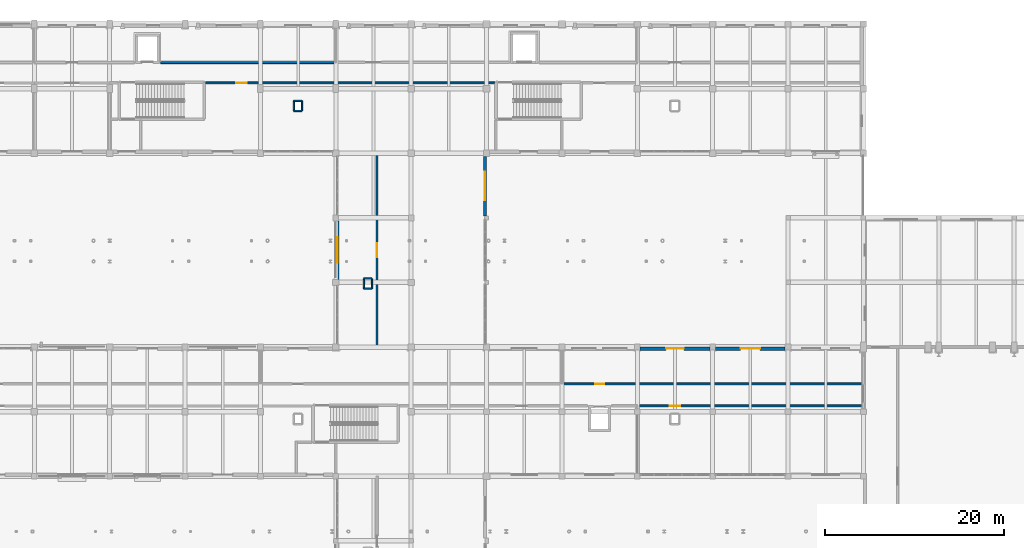
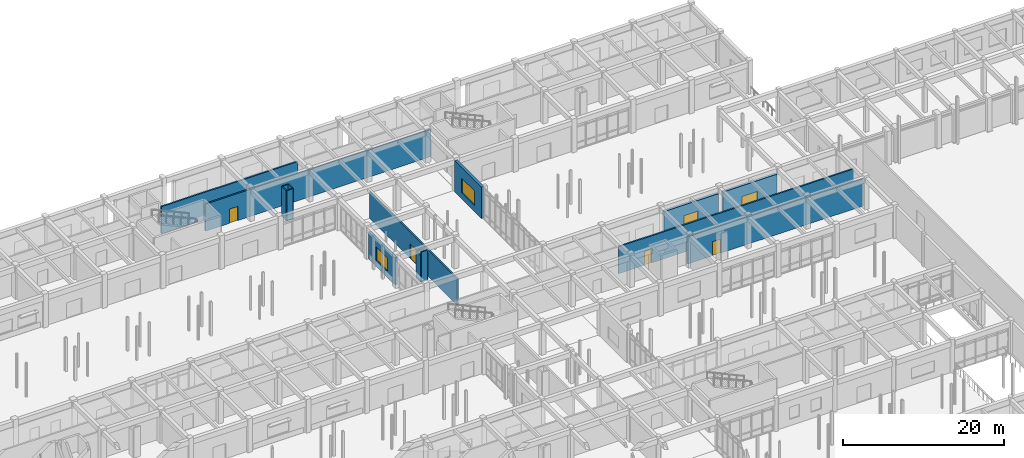
# One storey, part 84 of 121: 17 walls, 6 doors, 2 windows, 8 openings.
"""IFC4 building model written with IfcOpenShell, lengths in metres."""

from ifc_helpers import new_model, si_unit, direction, frame, frame_2d, origin, place, context, subcontext, project, spatial, rectangle, extrude, material, layer, layer_set, type_object, element, fill, save


model = new_model("IFC4")

# Units and contexts
model_context = context("Model", 3, precision=1e-05, world=origin(), true_north=direction((0.0, 1.0)))
body_context = subcontext(model_context, "Body", "Model", "MODEL_VIEW")
ifc_project = project(units=[si_unit("LENGTHUNIT", "METRE"), si_unit("AREAUNIT", "SQUARE_METRE"), si_unit("VOLUMEUNIT", "CUBIC_METRE"), si_unit("PLANEANGLEUNIT", "RADIAN"), si_unit("MASSUNIT", "GRAM", prefix="KILO")], contexts=[model_context])

# Site, building, storey
site_placement = place(None, origin())
site = spatial("IfcSite", under=ifc_project, at=site_placement, CompositionType="ELEMENT")
building_placement = place(site_placement, origin())
building = spatial("IfcBuilding", under=site, at=building_placement, Name="Malvenik Polytechnic", CompositionType="ELEMENT")
storey_placement = place(building_placement, origin())
storey = spatial("IfcBuildingStorey", under=building, at=storey_placement, Name="L00", CompositionType="ELEMENT", Elevation=0.0)

# Wall, opening, window
ifc_material_1 = material(Name="Concrete C30/37", Category="concrete")
ifc_layer_1 = layer(ifc_material_1, 0.3798828125)
ifc_layer_set_1 = layer_set([ifc_layer_1], Name="Concrete C30/37")
wall_type_1 = type_object("IfcWallType", Name="ARC-EW-380", PredefinedType="SOLIDWALL", material=ifc_layer_set_1)
wall_1_placement = place(storey_placement, frame((75.77001953125, 101.14794921875, 0.0), z_axis=(0.0, 0.0, 1.0), x_axis=(0.0, 1.0, 0.0)))
wall_1 = element("IfcWall", 1, at=wall_1_placement, inside=storey, type_object=wall_type_1, Name="External Facade Wall EW-01 L00 #72", PredefinedType="SOLIDWALL", context=body_context, shape_type="SweptSolid", body=[
    extrude(rectangle(XDim=6.529052734375, YDim=0.3798828125, at=frame_2d((3.2646484375, 0.0))), origin(), (0.0, 0.0, 1.0), 4.110107421875),
])
opening_1_placement = place(wall_1_placement, frame((1.864501953125, 0.0, 0.949951171875)))
opening_1 = element("IfcOpeningElement", 2, at=opening_1_placement, cuts=wall_1, Name="Opening W-10", PredefinedType="OPENING", context=body_context, shape_type="SweptSolid", body=[
    extrude(rectangle(XDim=2.800048828125, YDim=2.0, at=frame_2d((1.39990234375, 1.0))), frame((0.0, 0.199951171875, 0.0), z_axis=(0.0, -1.0, 0.0), x_axis=(1.0, 0.0, 0.0)), (0.0, 0.0, 1.0), 0.39990234375),
])
ifc_material_2 = material(Name="Thermally broken aluminium frame with low-E double glazing", Category="aluminium")
window_type_1 = type_object("IfcWindowType", Name="ARC-WIN-W-10", PartitioningType="SINGLE_PANEL", PredefinedType="WINDOW", material=ifc_material_2)
window_1_placement = place(opening_1_placement, origin())
window_1 = element("IfcWindow", 3, at=window_1_placement, inside=storey, type_object=window_type_1, Name="Punched Window W-10 L00 #36", OverallHeight=2.0, OverallWidth=2.800048828125, PartitioningType="SINGLE_PANEL", PredefinedType="WINDOW", context=body_context, shape_type="SweptSolid", body=[
    extrude(rectangle(XDim=2.800048828125, YDim=2.0, at=frame_2d((1.39990234375, 1.0))), frame((0.0, 0.030029296875, 0.0), z_axis=(0.0, -1.0, 0.0), x_axis=(1.0, 0.0, 0.0)), (0.0, 0.0, 1.0), 0.06005859375),
])
fill(opening_1, window_1)

wall_2_placement = place(storey_placement, frame((92.22998046875, 114.85205078125, 0.0), z_axis=(0.0, 0.0, 1.0), x_axis=(0.0, -1.0, 0.0)))
wall_2 = element("IfcWall", 4, at=wall_2_placement, inside=storey, type_object=wall_type_1, Name="External Facade Wall EW-01 L00 #105", PredefinedType="SOLIDWALL", context=body_context, shape_type="SweptSolid", body=[
    extrude(rectangle(XDim=6.629150390625, YDim=0.3798828125, at=frame_2d((3.314453125, 0.0))), origin(), (0.0, 0.0, 1.0), 4.760009765625),
])
opening_2_placement = place(wall_2_placement, frame((1.714599609375, 0.0, 0.949951171875)))
opening_2 = element("IfcOpeningElement", 5, at=opening_2_placement, cuts=wall_2, Name="Opening W-09", PredefinedType="OPENING", context=body_context, shape_type="SweptSolid", body=[
    extrude(rectangle(XDim=3.199951171875, YDim=2.199951171875, at=frame_2d((1.60009765625, 1.10009765625))), frame((0.0, 0.199951171875, 0.0), z_axis=(0.0, -1.0, 0.0), x_axis=(1.0, 0.0, 0.0)), (0.0, 0.0, 1.0), 0.39990234375),
])
window_type_2 = type_object("IfcWindowType", Name="ARC-WIN-W-09", PartitioningType="SINGLE_PANEL", PredefinedType="WINDOW", material=ifc_material_2)
window_2_placement = place(opening_2_placement, origin())
window_2 = element("IfcWindow", 6, at=window_2_placement, inside=storey, type_object=window_type_2, Name="Punched Window W-09 L00 #67", OverallHeight=2.199951171875, OverallWidth=3.199951171875, PartitioningType="SINGLE_PANEL", PredefinedType="WINDOW", context=body_context, shape_type="SweptSolid", body=[
    extrude(rectangle(XDim=3.199951171875, YDim=2.199951171875, at=frame_2d((1.60009765625, 1.10009765625))), frame((0.0, 0.030029296875, 0.0), z_axis=(0.0, -1.0, 0.0), x_axis=(1.0, 0.0, 0.0)), (0.0, 0.0, 1.0), 0.06005859375),
])
fill(opening_2, window_2)

# Wall, opening, door
wall_3_placement = place(storey_placement, frame((109.52294921875, 93.429931640625, 0.0), z_axis=(0.0, 0.0, 1.0), x_axis=(1.0, 0.0, 0.0)))
wall_3 = element("IfcWall", 7, at=wall_3_placement, inside=storey, type_object=wall_type_1, Name="External Facade Wall EW-01 L00 #108", PredefinedType="SOLIDWALL", context=body_context, shape_type="SweptSolid", body=[
    extrude(rectangle(XDim=7.754150390625, YDim=0.3798828125, at=frame_2d((3.876953125, 0.0))), origin(), (0.0, 0.0, 1.0), 4.010009765625),
])
opening_3_placement = place(wall_3_placement, frame((2.876953125, 0.0, 0.0)))
opening_3 = element("IfcOpeningElement", 8, at=opening_3_placement, cuts=wall_3, Name="Opening ED-01", PredefinedType="OPENING", context=body_context, shape_type="SweptSolid", body=[
    extrude(rectangle(XDim=2.0, YDim=2.39990234375, at=frame_2d((1.0, 1.199951171875))), frame((0.0, 0.199951171875, 0.0), z_axis=(0.0, -1.0, 0.0), x_axis=(1.0, 0.0, 0.0)), (0.0, 0.0, 1.0), 0.39990234375),
])
ifc_material_3 = material(Name="Thermally broken glazed aluminium entrance door", Category="aluminium")
door_type_1 = type_object("IfcDoorType", Name="ARC-EDR-ED-01", OperationType="NOTDEFINED", PredefinedType="DOOR", material=ifc_material_3)
door_1_placement = place(opening_3_placement, origin())
door_1 = element("IfcDoor", 9, at=door_1_placement, inside=storey, type_object=door_type_1, Name="External Door ED-01 L00 #27", OperationType="DOUBLE_DOOR_SINGLE_SWING", OverallHeight=2.39990234375, OverallWidth=2.0, PredefinedType="DOOR", context=body_context, shape_type="SweptSolid", body=[
    extrude(rectangle(XDim=2.0, YDim=2.39990234375, at=frame_2d((1.0, 1.199951171875))), frame((0.0, 0.02490234375, 0.0), z_axis=(0.0, -1.0, 0.0), x_axis=(1.0, 0.0, 0.0)), (0.0, 0.0, 1.0), 0.050048828125),
])
fill(opening_3, door_1)

wall_4_placement = place(storey_placement, frame((117.923095703125, 93.429931640625, 0.0), z_axis=(0.0, 0.0, 1.0), x_axis=(1.0, 0.0, 0.0)))
wall_4 = element("IfcWall", 10, at=wall_4_placement, inside=storey, type_object=wall_type_1, Name="External Facade Wall EW-01 L00 #109", PredefinedType="SOLIDWALL", context=body_context, shape_type="SweptSolid", body=[
    extrude(rectangle(XDim=7.75390625, YDim=0.3798828125, at=frame_2d((3.876953125, 0.0))), origin(), (0.0, 0.0, 1.0), 4.010009765625),
])
opening_4_placement = place(wall_4_placement, frame((2.777099609375, 0.0, 0.0)))
opening_4 = element("IfcOpeningElement", 11, at=opening_4_placement, cuts=wall_4, Name="Opening ED-02", PredefinedType="OPENING", context=body_context, shape_type="SweptSolid", body=[
    extrude(rectangle(XDim=2.199951171875, YDim=2.39990234375, at=frame_2d((1.10009765625, 1.199951171875))), frame((0.0, 0.199951171875, 0.0), z_axis=(0.0, -1.0, 0.0), x_axis=(1.0, 0.0, 0.0)), (0.0, 0.0, 1.0), 0.39990234375),
])
door_type_2 = type_object("IfcDoorType", Name="ARC-EDR-ED-02", OperationType="NOTDEFINED", PredefinedType="DOOR", material=ifc_material_3)
door_2_placement = place(opening_4_placement, origin())
door_2 = element("IfcDoor", 12, at=door_2_placement, inside=storey, type_object=door_type_2, Name="External Door ED-02 L00 #28", OperationType="DOUBLE_DOOR_SINGLE_SWING", OverallHeight=2.39990234375, OverallWidth=2.199951171875, PredefinedType="DOOR", context=body_context, shape_type="SweptSolid", body=[
    extrude(rectangle(XDim=2.199951171875, YDim=2.39990234375, at=frame_2d((1.10009765625, 1.199951171875))), frame((0.0, 0.02490234375, 0.0), z_axis=(0.0, -1.0, 0.0), x_axis=(1.0, 0.0, 0.0)), (0.0, 0.0, 1.0), 0.050048828125),
])
fill(opening_4, door_2)

# Wall
ifc_material_4 = material(Name="Autoclaved aerated concrete blockwork 220mm", Category="masonry")
ifc_layer_2 = layer(ifc_material_4, 0.219970703125)
ifc_layer_set_2 = layer_set([ifc_layer_2], Name="Autoclaved aerated concrete blockwork 220mm")
wall_type_2 = type_object("IfcWallType", Name="ARC-FW-220", PredefinedType="SOLIDWALL", material=ifc_layer_set_2)
wall_5_placement = place(storey_placement, frame((56.070068359375, 125.300048828125, 0.0), z_axis=(0.0, 0.0, 1.0), x_axis=(1.0, 0.0, 0.0)))
element("IfcWall", 13, at=wall_5_placement, inside=storey, type_object=wall_type_2, Name="Interior Partition FW-01 L00 #51", PredefinedType="SOLIDWALL", context=body_context, shape_type="SweptSolid", body=[
    extrude(rectangle(XDim=19.530029296875, YDim=0.219970703125, at=frame_2d((9.76513671875, 0.0))), origin(), (0.0, 0.0, 1.0), 4.10498046875),
])

# Wall, opening, door
wall_6_placement = place(storey_placement, frame((93.31005859375, 123.050048828125, 0.0), z_axis=(0.0, 0.0, 1.0), x_axis=(-1.0, 0.0, 0.0)))
wall_6 = element("IfcWall", 14, at=wall_6_placement, inside=storey, type_object=wall_type_2, Name="Interior Partition FW-01 L00 #66", PredefinedType="SOLIDWALL", context=body_context, shape_type="SweptSolid", body=[
    extrude(rectangle(XDim=32.219970703125, YDim=0.219970703125, at=frame_2d((16.10986328125, 0.0))), origin(), (0.0, 0.0, 1.0), 4.10498046875),
])
opening_5_placement = place(wall_6_placement, frame((27.610107421875, 0.0, 0.0)))
opening_5 = element("IfcOpeningElement", 15, at=opening_5_placement, cuts=wall_6, Name="Opening FD-10", PredefinedType="OPENING", context=body_context, shape_type="SweptSolid", body=[
    extrude(rectangle(XDim=1.199951171875, YDim=2.14990234375, at=frame_2d((0.60009765625, 1.074951171875))), frame((0.0, 0.1201171875, 0.0), z_axis=(0.0, -1.0, 0.0), x_axis=(1.0, 0.0, 0.0)), (0.0, 0.0, 1.0), 0.239990234375),
])
ifc_material_5 = material(Name="Fire-rated laboratory corridor door", Category="steel")
door_type_3 = type_object("IfcDoorType", Name="ARC-IDR-FD-10", OperationType="NOTDEFINED", PredefinedType="DOOR", material=ifc_material_5)
door_3_placement = place(opening_5_placement, origin())
door_3 = element("IfcDoor", 16, at=door_3_placement, inside=storey, type_object=door_type_3, Name="Interior Door FD-10 L00 #31", OperationType="SINGLE_SWING_RIGHT", OverallHeight=2.14990234375, OverallWidth=1.199951171875, PredefinedType="DOOR", context=body_context, shape_type="SweptSolid", body=[
    extrude(rectangle(XDim=1.199951171875, YDim=2.14990234375, at=frame_2d((0.60009765625, 1.074951171875))), frame((0.0, 0.02490234375, 0.0), z_axis=(0.0, -1.0, 0.0), x_axis=(1.0, 0.0, 0.0)), (0.0, 0.0, 1.0), 0.050048828125),
])
fill(opening_5, door_3)

wall_7_placement = place(storey_placement, frame((100.800048828125, 89.5, 0.0), z_axis=(0.0, 0.0, 1.0), x_axis=(1.0, 0.0, 0.0)))
wall_7 = element("IfcWall", 17, at=wall_7_placement, inside=storey, type_object=wall_type_2, Name="Interior Partition FW-01 L00 #76", PredefinedType="SOLIDWALL", context=body_context, shape_type="SweptSolid", body=[
    extrude(rectangle(XDim=33.599853515625, YDim=0.219970703125, at=frame_2d((16.7998046875, 0.0))), origin(), (0.0, 0.0, 1.0), 4.10498046875),
])
opening_6_placement = place(wall_7_placement, frame((3.699951171875, 0.0, 0.0)))
opening_6 = element("IfcOpeningElement", 18, at=opening_6_placement, cuts=wall_7, Name="Opening FD-07", PredefinedType="OPENING", context=body_context, shape_type="SweptSolid", body=[
    extrude(rectangle(XDim=1.0, YDim=2.10009765625, at=frame_2d((0.5, 1.050048828125))), frame((0.0, 0.1201171875, 0.0), z_axis=(0.0, -1.0, 0.0), x_axis=(1.0, 0.0, 0.0)), (0.0, 0.0, 1.0), 0.239990234375),
])
ifc_material_6 = material(Name="Fire-rated washroom corridor door", Category="steel")
door_type_4 = type_object("IfcDoorType", Name="ARC-IDR-FD-07", OperationType="NOTDEFINED", PredefinedType="DOOR", material=ifc_material_6)
door_4_placement = place(opening_6_placement, origin())
door_4 = element("IfcDoor", 19, at=door_4_placement, inside=storey, type_object=door_type_4, Name="Interior Door FD-07 L00 #36", OperationType="SINGLE_SWING_RIGHT", OverallHeight=2.10009765625, OverallWidth=1.0, PredefinedType="DOOR", context=body_context, shape_type="SweptSolid", body=[
    extrude(rectangle(XDim=1.0, YDim=2.10009765625, at=frame_2d((0.5, 1.050048828125))), frame((0.0, 0.02490234375, 0.0), z_axis=(0.0, -1.0, 0.0), x_axis=(1.0, 0.0, 0.0)), (0.0, 0.0, 1.0), 0.050048828125),
])
fill(opening_6, door_4)

wall_8_placement = place(storey_placement, frame((134.39990234375, 87.050048828125, 0.0), z_axis=(0.0, 0.0, 1.0), x_axis=(-1.0, 0.0, 0.0)))
wall_8 = element("IfcWall", 20, at=wall_8_placement, inside=storey, type_object=wall_type_2, Name="Interior Partition FW-01 L00 #88", PredefinedType="SOLIDWALL", context=body_context, shape_type="SweptSolid", body=[
    extrude(rectangle(XDim=25.199951171875, YDim=0.219970703125, at=frame_2d((12.60009765625, 0.0))), origin(), (0.0, 0.0, 1.0), 4.10498046875),
])
opening_7_placement = place(wall_8_placement, frame((20.425048828125, 0.0, 0.0)))
opening_7 = element("IfcOpeningElement", 21, at=opening_7_placement, cuts=wall_8, Name="Opening FD-01", PredefinedType="OPENING", context=body_context, shape_type="SweptSolid", body=[
    extrude(rectangle(XDim=1.14990234375, YDim=2.14990234375, at=frame_2d((0.574951171875, 1.074951171875))), frame((0.0, 0.1201171875, 0.0), z_axis=(0.0, -1.0, 0.0), x_axis=(1.0, 0.0, 0.0)), (0.0, 0.0, 1.0), 0.239990234375),
])
ifc_material_7 = material(Name="Fire-rated timber acoustic corridor door", Category="wood")
door_type_5 = type_object("IfcDoorType", Name="ARC-IDR-FD-01", OperationType="NOTDEFINED", PredefinedType="DOOR", material=ifc_material_7)
door_5_placement = place(opening_7_placement, origin())
door_5 = element("IfcDoor", 22, at=door_5_placement, inside=storey, type_object=door_type_5, Name="Interior Door FD-01 L00 #40", OperationType="SINGLE_SWING_LEFT", OverallHeight=2.14990234375, OverallWidth=1.14990234375, PredefinedType="DOOR", context=body_context, shape_type="SweptSolid", body=[
    extrude(rectangle(XDim=1.14990234375, YDim=2.14990234375, at=frame_2d((0.574951171875, 1.074951171875))), frame((0.0, 0.02490234375, 0.0), z_axis=(0.0, -1.0, 0.0), x_axis=(1.0, 0.0, 0.0)), (0.0, 0.0, 1.0), 0.050048828125),
])
fill(opening_7, door_5)

wall_9_placement = place(storey_placement, frame((80.199951171875, 93.60009765625, 0.0), z_axis=(0.0, 0.0, 1.0), x_axis=(0.0, 1.0, 0.0)))
wall_9 = element("IfcWall", 23, at=wall_9_placement, inside=storey, type_object=wall_type_2, Name="Interior Partition FW-01 L00 #117", PredefinedType="SOLIDWALL", context=body_context, shape_type="SweptSolid", body=[
    extrude(rectangle(XDim=21.599853515625, YDim=0.219970703125, at=frame_2d((10.7998046875, 0.0))), origin(), (0.0, 0.0, 1.0), 4.0048828125),
])
opening_8_placement = place(wall_9_placement, frame((10.02490234375, 0.0, 0.0)))
opening_8 = element("IfcOpeningElement", 24, at=opening_8_placement, cuts=wall_9, Name="Opening FD-09", PredefinedType="OPENING", context=body_context, shape_type="SweptSolid", body=[
    extrude(rectangle(XDim=1.550048828125, YDim=2.199951171875, at=frame_2d((0.77490234375, 1.10009765625))), frame((0.0, 0.1201171875, 0.0), z_axis=(0.0, -1.0, 0.0), x_axis=(1.0, 0.0, 0.0)), (0.0, 0.0, 1.0), 0.239990234375),
])
ifc_material_8 = material(Name="Fire-rated studio corridor double door", Category="steel")
door_type_6 = type_object("IfcDoorType", Name="ARC-IDR-FD-09", OperationType="NOTDEFINED", PredefinedType="DOOR", material=ifc_material_8)
door_6_placement = place(opening_8_placement, origin())
door_6 = element("IfcDoor", 25, at=door_6_placement, inside=storey, type_object=door_type_6, Name="Interior Door FD-09 L00 #54", OperationType="DOUBLE_DOOR_SINGLE_SWING", OverallHeight=2.199951171875, OverallWidth=1.550048828125, PredefinedType="DOOR", context=body_context, shape_type="SweptSolid", body=[
    extrude(rectangle(XDim=1.550048828125, YDim=2.199951171875, at=frame_2d((0.77490234375, 1.10009765625))), frame((0.0, 0.02490234375, 0.0), z_axis=(0.0, -1.0, 0.0), x_axis=(1.0, 0.0, 0.0)), (0.0, 0.0, 1.0), 0.050048828125),
])
fill(opening_8, door_6)

# Walls
ifc_material_9 = material(Name="Double-stud acoustic gypsum board partition 160mm", Category="gypsum")
ifc_layer_3 = layer(ifc_material_9, 0.159912109375)
ifc_layer_set_3 = layer_set([ifc_layer_3], Name="Double-stud acoustic gypsum board partition 160mm")
wall_type_3 = type_object("IfcWallType", Name="ARC-PW-160", PredefinedType="PARTITIONING", material=ifc_layer_set_3)
for number, where, z_axis, x_axis, name in (
    (26, (70.919921875, 119.919921875, 0.0), (0.0, 0.0, 1.0), (1.0, 0.0, 0.0), "Riser Shaft Enclosure L00 #2S"),
    (27, (71.830078125, 121.030029296875, 0.0), (0.0, 0.0, 1.0), (-1.0, 0.0, 0.0), "Riser Shaft Enclosure L00 #2N"),
):
    element("IfcWall", number, at=place(storey_placement, frame(where, z_axis=z_axis, x_axis=x_axis)), inside=storey, type_object=wall_type_3, Name=name, PredefinedType="PARTITIONING", context=body_context, shape_type="SweptSolid", body=[
        extrude(rectangle(XDim=0.91015625, YDim=0.159912109375, at=frame_2d((0.455078125, 0.0))), origin(), (0.0, 0.0, 1.0), 4.550048828125),
    ])
for number, where, z_axis, x_axis, name in (
    (28, (70.919921875, 121.030029296875, 0.0), (0.0, 0.0, 1.0), (0.0, -1.0, 0.0), "Riser Shaft Enclosure L00 #2W"),
    (29, (71.830078125, 119.919921875, 0.0), (0.0, 0.0, 1.0), (0.0, 1.0, 0.0), "Riser Shaft Enclosure L00 #2E"),
):
    element("IfcWall", number, at=place(storey_placement, frame(where, z_axis=z_axis, x_axis=x_axis)), inside=storey, type_object=wall_type_3, Name=name, PredefinedType="PARTITIONING", context=body_context, shape_type="SweptSolid", body=[
        extrude(rectangle(XDim=1.110107421875, YDim=0.159912109375, at=frame_2d((0.55517578125, 0.0))), origin(), (0.0, 0.0, 1.0), 4.550048828125),
    ])
wall_10_placement = place(storey_placement, frame((78.719970703125, 100.1201171875, 0.0), z_axis=(0.0, 0.0, 1.0), x_axis=(1.0, 0.0, 0.0)))
element("IfcWall", 30, at=wall_10_placement, inside=storey, type_object=wall_type_3, Name="Riser Shaft Enclosure L00 #11S", PredefinedType="PARTITIONING", context=body_context, shape_type="SweptSolid", body=[
    extrude(rectangle(XDim=0.909912109375, YDim=0.159912109375, at=frame_2d((0.455078125, 0.0))), origin(), (0.0, 0.0, 1.0), 4.550048828125),
])
wall_11_placement = place(storey_placement, frame((79.6298828125, 101.22998046875, 0.0), z_axis=(0.0, 0.0, 1.0), x_axis=(-1.0, 0.0, 0.0)))
element("IfcWall", 31, at=wall_11_placement, inside=storey, type_object=wall_type_3, Name="Riser Shaft Enclosure L00 #11N", PredefinedType="PARTITIONING", context=body_context, shape_type="SweptSolid", body=[
    extrude(rectangle(XDim=0.909912109375, YDim=0.159912109375, at=frame_2d((0.455078125, 0.0))), origin(), (0.0, 0.0, 1.0), 4.0048828125),
])
for number, where, z_axis, x_axis, name in (
    (32, (78.719970703125, 101.22998046875, 0.0), (0.0, 0.0, 1.0), (0.0, -1.0, 0.0), "Riser Shaft Enclosure L00 #11W"),
    (33, (79.6298828125, 100.1201171875, 0.0), (0.0, 0.0, 1.0), (0.0, 1.0, 0.0), "Riser Shaft Enclosure L00 #11E"),
):
    element("IfcWall", number, at=place(storey_placement, frame(where, z_axis=z_axis, x_axis=x_axis)), inside=storey, type_object=wall_type_3, Name=name, PredefinedType="PARTITIONING", context=body_context, shape_type="SweptSolid", body=[
        extrude(rectangle(XDim=1.10986328125, YDim=0.159912109375, at=frame_2d((0.554931640625, 0.0))), origin(), (0.0, 0.0, 1.0), 4.0048828125),
    ])

save(model, "model.ifc")
